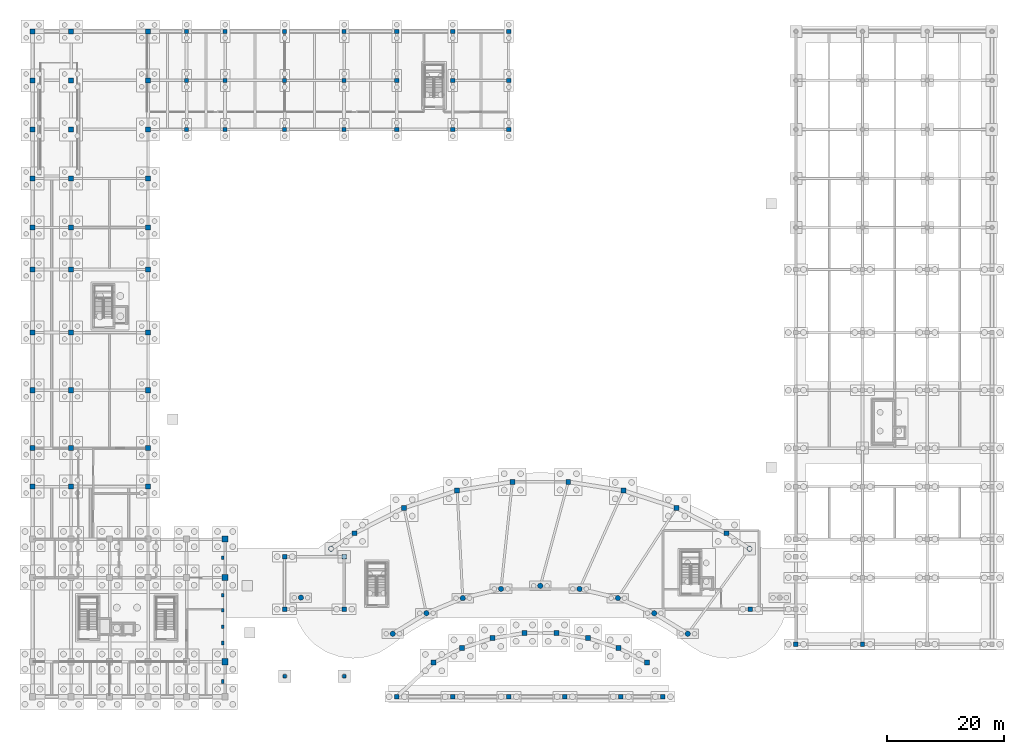
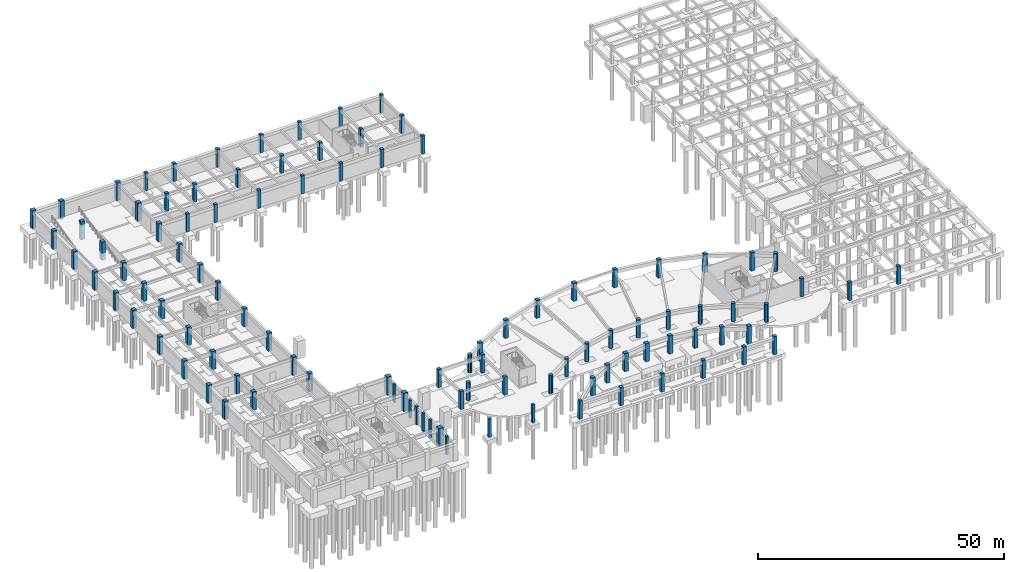
# One storey, part 8 of 28: 103 columns.
"""IFC4 building model written with IfcOpenShell, lengths in metres."""

from ifc_helpers import new_model, si_unit, direction, frame, origin, origin_2d, place, context, subcontext, project, spatial, rectangle, circle, extrude, material, material_profile, profile_set, type_object, element, save


model = new_model("IFC4")

# Units and contexts
model_context = context("Model", 3, precision=1e-05, world=origin(), true_north=direction((0.0, 1.0)))
body_context = subcontext(model_context, "Body", "Model", "MODEL_VIEW")
ifc_project = project(units=[si_unit("LENGTHUNIT", "METRE"), si_unit("AREAUNIT", "SQUARE_METRE"), si_unit("VOLUMEUNIT", "CUBIC_METRE"), si_unit("PLANEANGLEUNIT", "RADIAN"), si_unit("MASSUNIT", "GRAM", prefix="KILO")], contexts=[model_context])

# Site, building, storey
site_placement = place(None, origin())
site = spatial("IfcSite", under=ifc_project, at=site_placement, CompositionType="ELEMENT")
building_placement = place(site_placement, origin())
building = spatial("IfcBuilding", under=site, at=building_placement, Name="Miralva Faculty of Natural Sciences", CompositionType="ELEMENT")
storey_placement = place(building_placement, frame((0.0, 0.0, -4.5)))
storey = spatial("IfcBuildingStorey", under=building, at=storey_placement, Name="B1", CompositionType="ELEMENT", Elevation=-4.5)

# Columns
ifc_material_1 = material(Name="Concrete C50/60", Category="concrete")
ifc_material_profile_1 = material_profile(ifc_material_1, rectangle(XDim=1.050048828125, YDim=1.050048828125, at=origin_2d()), Name="RC 1050x1050")
ifc_profile_set_1 = profile_set([ifc_material_profile_1], Name="Concrete C50/60")
column_type_1 = type_object("IfcColumnType", Name="COL-C01", PredefinedType="COLUMN", material=ifc_profile_set_1)
for number, where, z_axis, x_axis, name in (
    (1, (36.0, 9.0, 0.0), (0.0, 0.0, 1.0), (1.0, 0.0, 0.0), "Column CS-V5-6B B1"),
    (2, (36.0, 23.39990234375, 0.0), (0.0, 0.0, 1.0), (1.0, 0.0, 0.0), "Column CS-V5-6C B1"),
    (3, (36.0, 30.0, 0.0), (0.0, 0.0, 1.0), (1.0, 0.0, 0.0), "Column CS-V5-6D B1"),
):
    element("IfcColumn", number, at=place(storey_placement, frame(where, z_axis=z_axis, x_axis=x_axis)), inside=storey, type_object=column_type_1, Name=name, PredefinedType="COLUMN", context=body_context, shape_type="SweptSolid", body=[
        extrude(rectangle(XDim=1.050048828125, YDim=1.050048828125, at=origin_2d()), origin(), (0.0, 0.0, 1.0), 4.5),
    ])
ifc_material_profile_2 = material_profile(ifc_material_1, rectangle(XDim=0.89990234375, YDim=0.89990234375, at=origin_2d()), Name="RC 900x900")
ifc_profile_set_2 = profile_set([ifc_material_profile_2], Name="Concrete C50/60")
column_type_2 = type_object("IfcColumnType", Name="COL-C03", PredefinedType="COLUMN", material=ifc_profile_set_2)
for number, where, z_axis, x_axis, name in (
    (4, (3.0, 39.0, 0.0), (0.0, 0.0, 1.0), (1.0, 0.0, 0.0), "Column CS-V4W-1E B1"),
    (5, (3.0, 45.60009765625, 0.0), (0.0, 0.0, 1.0), (1.0, 0.0, 0.0), "Column CS-V4W-1F B1"),
    (6, (3.0, 55.5, 0.0), (0.0, 0.0, 1.0), (1.0, 0.0, 0.0), "Column CS-V4W-1G B1"),
    (7, (3.0, 65.39990234375, 0.0), (0.0, 0.0, 1.0), (1.0, 0.0, 0.0), "Column CS-V4W-1H B1"),
    (8, (3.0, 76.199951171875, 0.0), (0.0, 0.0, 1.0), (1.0, 0.0, 0.0), "Column CS-V4W-1I B1"),
    (9, (3.0, 83.39990234375, 0.0), (0.0, 0.0, 1.0), (1.0, 0.0, 0.0), "Column CS-V4W-1J B1"),
    (10, (3.0, 91.800048828125, 0.0), (0.0, 0.0, 1.0), (1.0, 0.0, 0.0), "Column CS-V4W-1K B1"),
    (11, (3.0, 100.199951171875, 0.0), (0.0, 0.0, 1.0), (1.0, 0.0, 0.0), "Column CS-V4W-1L B1"),
    (12, (3.0, 108.60009765625, 0.0), (0.0, 0.0, 1.0), (1.0, 0.0, 0.0), "Column CS-V4W-1M B1"),
    (13, (3.0, 117.0, 0.0), (0.0, 0.0, 1.0), (1.0, 0.0, 0.0), "Column CS-V4W-1N B1"),
    (14, (9.60009765625, 39.0, 0.0), (0.0, 0.0, 1.0), (1.0, 0.0, 0.0), "Column CS-V4W-2E B1"),
    (15, (9.60009765625, 45.60009765625, 0.0), (0.0, 0.0, 1.0), (1.0, 0.0, 0.0), "Column CS-V4W-2F B1"),
    (16, (9.60009765625, 55.5, 0.0), (0.0, 0.0, 1.0), (1.0, 0.0, 0.0), "Column CS-V4W-2G B1"),
    (17, (9.60009765625, 65.39990234375, 0.0), (0.0, 0.0, 1.0), (1.0, 0.0, 0.0), "Column CS-V4W-2H B1"),
    (18, (9.60009765625, 76.199951171875, 0.0), (0.0, 0.0, 1.0), (1.0, 0.0, 0.0), "Column CS-V4W-2I B1"),
    (19, (9.60009765625, 83.39990234375, 0.0), (0.0, 0.0, 1.0), (1.0, 0.0, 0.0), "Column CS-V4W-2J B1"),
    (20, (9.60009765625, 91.800048828125, 0.0), (0.0, 0.0, 1.0), (1.0, 0.0, 0.0), "Column CS-V4W-2K B1"),
    (21, (9.60009765625, 100.199951171875, 0.0), (0.0, 0.0, 1.0), (1.0, 0.0, 0.0), "Column CS-V4W-2L B1"),
    (22, (9.60009765625, 108.60009765625, 0.0), (0.0, 0.0, 1.0), (1.0, 0.0, 0.0), "Column CS-V4W-2M B1"),
    (23, (9.60009765625, 117.0, 0.0), (0.0, 0.0, 1.0), (1.0, 0.0, 0.0), "Column CS-V4W-2N B1"),
    (24, (22.800048828125, 39.0, 0.0), (0.0, 0.0, 1.0), (1.0, 0.0, 0.0), "Column CS-V4W-4E B1"),
    (25, (22.800048828125, 45.60009765625, 0.0), (0.0, 0.0, 1.0), (1.0, 0.0, 0.0), "Column CS-V4W-4F B1"),
    (26, (22.800048828125, 55.5, 0.0), (0.0, 0.0, 1.0), (1.0, 0.0, 0.0), "Column CS-V4W-4G B1"),
    (27, (22.800048828125, 65.39990234375, 0.0), (0.0, 0.0, 1.0), (1.0, 0.0, 0.0), "Column CS-V4W-4H B1"),
    (28, (22.800048828125, 76.199951171875, 0.0), (0.0, 0.0, 1.0), (1.0, 0.0, 0.0), "Column CS-V4W-4I B1"),
    (29, (22.800048828125, 83.39990234375, 0.0), (0.0, 0.0, 1.0), (1.0, 0.0, 0.0), "Column CS-V4W-4J B1"),
    (30, (22.800048828125, 91.800048828125, 0.0), (0.0, 0.0, 1.0), (1.0, 0.0, 0.0), "Column CS-V4W-4K B1"),
    (31, (22.800048828125, 100.199951171875, 0.0), (0.0, 0.0, 1.0), (1.0, 0.0, 0.0), "Column CS-V4W-4L B1"),
    (32, (22.800048828125, 108.60009765625, 0.0), (0.0, 0.0, 1.0), (1.0, 0.0, 0.0), "Column CS-V4W-4M B1"),
    (33, (22.800048828125, 117.0, 0.0), (0.0, 0.0, 1.0), (1.0, 0.0, 0.0), "Column CS-V4W-4N B1"),
):
    element("IfcColumn", number, at=place(storey_placement, frame(where, z_axis=z_axis, x_axis=x_axis)), inside=storey, type_object=column_type_2, Name=name, PredefinedType="COLUMN", context=body_context, shape_type="SweptSolid", body=[
        extrude(rectangle(XDim=0.89990234375, YDim=0.89990234375, at=origin_2d()), origin(), (0.0, 0.0, 1.0), 4.5),
    ])
ifc_material_profile_3 = material_profile(ifc_material_1, rectangle(XDim=0.85009765625, YDim=0.85009765625, at=origin_2d()), Name="RC 850x850")
ifc_profile_set_3 = profile_set([ifc_material_profile_3], Name="Concrete C50/60")
column_type_3 = type_object("IfcColumnType", Name="COL-C04", PredefinedType="COLUMN", material=ifc_profile_set_3)
for number, where, z_axis, x_axis, name in (
    (34, (71.712646484375, 8.84228515625, 0.0), (0.0, 0.0, 1.0), (1.0, 0.0, 0.0), "Column CS-SH-IN01 B1"),
    (35, (58.127685546875, 31.010986328125, 0.0), (0.0, 0.0, 1.0), (1.0, 0.0, 0.0), "Column CS-SH-OUT01 B1"),
    (36, (76.606201171875, 11.335693359375, 0.0), (0.0, 0.0, 1.0), (1.0, 0.0, 0.0), "Column CS-SH-IN02 B1"),
    (37, (66.65625, 35.356689453125, 0.0), (0.0, 0.0, 1.0), (1.0, 0.0, 0.0), "Column CS-SH-OUT02 B1"),
    (38, (81.829345703125, 13.032958984375, 0.0), (0.0, 0.0, 1.0), (1.0, 0.0, 0.0), "Column CS-SH-IN03 B1"),
    (39, (75.759765625, 38.314697265625, 0.0), (0.0, 0.0, 1.0), (1.0, 0.0, 0.0), "Column CS-SH-OUT03 B1"),
    (40, (87.25390625, 13.89208984375, 0.0), (0.0, 0.0, 1.0), (1.0, 0.0, 0.0), "Column CS-SH-IN04 B1"),
    (41, (85.214111328125, 39.81201171875, 0.0), (0.0, 0.0, 1.0), (1.0, 0.0, 0.0), "Column CS-SH-OUT04 B1"),
    (42, (92.74609375, 13.89208984375, 0.0), (0.0, 0.0, 1.0), (1.0, 0.0, 0.0), "Column CS-SH-IN05 B1"),
    (43, (94.785888671875, 39.81201171875, 0.0), (0.0, 0.0, 1.0), (1.0, 0.0, 0.0), "Column CS-SH-OUT05 B1"),
    (44, (98.170654296875, 13.032958984375, 0.0), (0.0, 0.0, 1.0), (1.0, 0.0, 0.0), "Column CS-SH-IN06 B1"),
    (45, (104.240234375, 38.314697265625, 0.0), (0.0, 0.0, 1.0), (1.0, 0.0, 0.0), "Column CS-SH-OUT06 B1"),
    (46, (103.393798828125, 11.335693359375, 0.0), (0.0, 0.0, 1.0), (1.0, 0.0, 0.0), "Column CS-SH-IN07 B1"),
    (47, (113.34375, 35.356689453125, 0.0), (0.0, 0.0, 1.0), (1.0, 0.0, 0.0), "Column CS-SH-OUT07 B1"),
    (48, (108.287353515625, 8.84228515625, 0.0), (0.0, 0.0, 1.0), (1.0, 0.0, 0.0), "Column CS-SH-IN08 B1"),
    (49, (121.872314453125, 31.010986328125, 0.0), (0.0, 0.0, 1.0), (1.0, 0.0, 0.0), "Column CS-SH-OUT08 B1"),
):
    element("IfcColumn", number, at=place(storey_placement, frame(where, z_axis=z_axis, x_axis=x_axis)), inside=storey, type_object=column_type_3, Name=name, PredefinedType="COLUMN", context=body_context, shape_type="SweptSolid", body=[
        extrude(rectangle(XDim=0.85009765625, YDim=0.85009765625, at=origin_2d()), origin(), (0.0, 0.0, 1.0), 4.5),
    ])
ifc_material_2 = material(Name="Concrete C40/50", Category="concrete")
ifc_material_profile_4 = material_profile(ifc_material_2, rectangle(XDim=0.75, YDim=0.75, at=origin_2d()), Name="RC 750x750")
ifc_profile_set_4 = profile_set([ifc_material_profile_4], Name="Concrete C40/50")
column_type_4 = type_object("IfcColumnType", Name="COL-C06", PredefinedType="COLUMN", material=ifc_profile_set_4)
for number, where, z_axis, x_axis, name in (
    (50, (133.800048828125, 12.0, 0.0), (0.0, 0.0, 1.0), (1.0, 0.0, 0.0), "Column CS-V2C-16B12 B1"),
    (51, (145.199951171875, 12.0, 0.0), (0.0, 0.0, 1.0), (1.0, 0.0, 0.0), "Column CS-V2C-17B12 B1"),
    (52, (65.39990234375, 3.0, 0.0), (0.0, 0.0, 1.0), (1.0, 0.0, 0.0), "Column CS-V1-S9 B1"),
    (53, (75.0, 3.0, 0.0), (0.0, 0.0, 1.0), (1.0, 0.0, 0.0), "Column CS-V1-S10 B1"),
    (54, (84.60009765625, 3.0, 0.0), (0.0, 0.0, 1.0), (1.0, 0.0, 0.0), "Column CS-V1-S11 B1"),
    (55, (94.199951171875, 3.0, 0.0), (0.0, 0.0, 1.0), (1.0, 0.0, 0.0), "Column CS-V1-S12 B1"),
    (56, (103.800048828125, 3.0, 0.0), (0.0, 0.0, 1.0), (1.0, 0.0, 0.0), "Column CS-V1-S13 B1"),
    (57, (111.0, 3.0, 0.0), (0.0, 0.0, 1.0), (1.0, 0.0, 0.0), "Column CS-V1-S14 B1"),
    (58, (46.199951171875, 18.0, 0.0), (0.0, 0.0, 1.0), (1.0, 0.0, 0.0), "Column CS-LNK-WL1S B1"),
    (59, (46.199951171875, 27.0, 0.0), (0.0, 0.0, 1.0), (1.0, 0.0, 0.0), "Column CS-LNK-WL1N B1"),
    (60, (56.39990234375, 18.0, 0.0), (0.0, 0.0, 1.0), (1.0, 0.0, 0.0), "Column CS-LNK-WL2S B1"),
    (61, (56.39990234375, 27.0, 0.0), (0.0, 0.0, 1.0), (1.0, 0.0, 0.0), "Column CS-LNK-WL2N B1"),
    (62, (126.0, 18.0, 0.0), (0.0, 0.0, 1.0), (1.0, 0.0, 0.0), "Column CS-LNK-EL1S B1"),
):
    element("IfcColumn", number, at=place(storey_placement, frame(where, z_axis=z_axis, x_axis=x_axis)), inside=storey, type_object=column_type_4, Name=name, PredefinedType="COLUMN", context=body_context, shape_type="SweptSolid", body=[
        extrude(rectangle(XDim=0.75, YDim=0.75, at=origin_2d()), origin(), (0.0, 0.0, 1.0), 4.5),
    ])
ifc_material_profile_5 = material_profile(ifc_material_2, rectangle(XDim=0.699951171875, YDim=0.699951171875, at=origin_2d()), Name="RC 700x700")
ifc_profile_set_5 = profile_set([ifc_material_profile_5], Name="Concrete C40/50")
column_type_5 = type_object("IfcColumnType", Name="COL-C07", PredefinedType="COLUMN", material=ifc_profile_set_5)
for number, where, z_axis, x_axis, name in (
    (63, (29.39990234375, 100.199951171875, 0.0), (0.0, 0.0, 1.0), (1.0, 0.0, 0.0), "Column CS-V4N-5L B1"),
    (64, (29.39990234375, 108.60009765625, 0.0), (0.0, 0.0, 1.0), (1.0, 0.0, 0.0), "Column CS-V4N-5M B1"),
    (65, (29.39990234375, 117.0, 0.0), (0.0, 0.0, 1.0), (1.0, 0.0, 0.0), "Column CS-V4N-5N B1"),
    (66, (36.0, 100.199951171875, 0.0), (0.0, 0.0, 1.0), (1.0, 0.0, 0.0), "Column CS-V4N-6L B1"),
    (67, (36.0, 108.60009765625, 0.0), (0.0, 0.0, 1.0), (1.0, 0.0, 0.0), "Column CS-V4N-6M B1"),
    (68, (36.0, 117.0, 0.0), (0.0, 0.0, 1.0), (1.0, 0.0, 0.0), "Column CS-V4N-6N B1"),
    (69, (46.199951171875, 100.199951171875, 0.0), (0.0, 0.0, 1.0), (1.0, 0.0, 0.0), "Column CS-V4N-7L B1"),
    (70, (46.199951171875, 108.60009765625, 0.0), (0.0, 0.0, 1.0), (1.0, 0.0, 0.0), "Column CS-V4N-7M B1"),
    (71, (46.199951171875, 117.0, 0.0), (0.0, 0.0, 1.0), (1.0, 0.0, 0.0), "Column CS-V4N-7N B1"),
    (72, (56.39990234375, 100.199951171875, 0.0), (0.0, 0.0, 1.0), (1.0, 0.0, 0.0), "Column CS-V4N-8L B1"),
    (73, (56.39990234375, 108.60009765625, 0.0), (0.0, 0.0, 1.0), (1.0, 0.0, 0.0), "Column CS-V4N-8M B1"),
    (74, (56.39990234375, 117.0, 0.0), (0.0, 0.0, 1.0), (1.0, 0.0, 0.0), "Column CS-V4N-8N B1"),
    (75, (65.39990234375, 100.199951171875, 0.0), (0.0, 0.0, 1.0), (1.0, 0.0, 0.0), "Column CS-V4N-9L B1"),
    (76, (65.39990234375, 108.60009765625, 0.0), (0.0, 0.0, 1.0), (1.0, 0.0, 0.0), "Column CS-V4N-9M B1"),
    (77, (65.39990234375, 117.0, 0.0), (0.0, 0.0, 1.0), (1.0, 0.0, 0.0), "Column CS-V4N-9N B1"),
    (78, (75.0, 100.199951171875, 0.0), (0.0, 0.0, 1.0), (1.0, 0.0, 0.0), "Column CS-V4N-10L B1"),
    (79, (75.0, 108.60009765625, 0.0), (0.0, 0.0, 1.0), (1.0, 0.0, 0.0), "Column CS-V4N-10M B1"),
    (80, (75.0, 117.0, 0.0), (0.0, 0.0, 1.0), (1.0, 0.0, 0.0), "Column CS-V4N-10N B1"),
    (81, (84.60009765625, 100.199951171875, 0.0), (0.0, 0.0, 1.0), (1.0, 0.0, 0.0), "Column CS-V4N-11L B1"),
    (82, (84.60009765625, 108.60009765625, 0.0), (0.0, 0.0, 1.0), (1.0, 0.0, 0.0), "Column CS-V4N-11M B1"),
    (83, (84.60009765625, 117.0, 0.0), (0.0, 0.0, 1.0), (1.0, 0.0, 0.0), "Column CS-V4N-11N B1"),
):
    element("IfcColumn", number, at=place(storey_placement, frame(where, z_axis=z_axis, x_axis=x_axis)), inside=storey, type_object=column_type_5, Name=name, PredefinedType="COLUMN", context=body_context, shape_type="SweptSolid", body=[
        extrude(rectangle(XDim=0.699951171875, YDim=0.699951171875, at=origin_2d()), origin(), (0.0, 0.0, 1.0), 4.5),
    ])
ifc_material_profile_6 = material_profile(ifc_material_2, rectangle(XDim=0.550048828125, YDim=0.550048828125, at=origin_2d()), Name="RC 550x550")
ifc_profile_set_6 = profile_set([ifc_material_profile_6], Name="Concrete C40/50")
column_type_6 = type_object("IfcColumnType", Name="COL-C10", PredefinedType="COLUMN", material=ifc_profile_set_6)
for number, where, z_axis, x_axis, name in (
    (84, (46.199951171875, 6.5, 0.0), (0.0, 0.0, 1.0), (1.0, 0.0, 0.0), "Canopy substructure pier 1"),
    (85, (56.39990234375, 6.5, 0.0), (0.0, 0.0, 1.0), (1.0, 0.0, 0.0), "Canopy substructure pier 2"),
):
    element("IfcColumn", number, at=place(storey_placement, frame(where, z_axis=z_axis, x_axis=x_axis)), inside=storey, type_object=column_type_6, Name=name, PredefinedType="COLUMN", context=body_context, shape_type="SweptSolid", body=[
        extrude(rectangle(XDim=0.550048828125, YDim=0.550048828125, at=origin_2d()), origin(), (0.0, 0.0, 1.0), 4.5),
    ])
ifc_material_profile_7 = material_profile(ifc_material_2, rectangle(XDim=0.449951171875, YDim=0.64990234375, at=origin_2d()), Name="RC 450x650")
ifc_profile_set_7 = profile_set([ifc_material_profile_7], Name="Concrete C40/50")
column_type_7 = type_object("IfcColumnType", Name="COL-C12", PredefinedType="PILASTER", material=ifc_profile_set_7)
for number, where, z_axis, x_axis, name in (
    (86, (35.60009765625, 5.60009765625, 0.0), (0.0, 0.0, 1.0), (1.0, 0.0, 0.0), "Colonnade pilaster 1 B1"),
    (87, (35.60009765625, 12.199951171875, 0.0), (0.0, 0.0, 1.0), (1.0, 0.0, 0.0), "Colonnade pilaster 2 B1"),
    (88, (35.60009765625, 15.0, 0.0), (0.0, 0.0, 1.0), (1.0, 0.0, 0.0), "Colonnade pilaster 3 B1"),
    (89, (35.60009765625, 17.800048828125, 0.0), (0.0, 0.0, 1.0), (1.0, 0.0, 0.0), "Colonnade pilaster 4 B1"),
    (90, (35.60009765625, 20.39990234375, 0.0), (0.0, 0.0, 1.0), (1.0, 0.0, 0.0), "Colonnade pilaster 5 B1"),
    (91, (35.60009765625, 26.800048828125, 0.0), (0.0, 0.0, 1.0), (1.0, 0.0, 0.0), "Colonnade pilaster 6 B1"),
):
    element("IfcColumn", number, at=place(storey_placement, frame(where, z_axis=z_axis, x_axis=x_axis)), inside=storey, type_object=column_type_7, Name=name, PredefinedType="PILASTER", context=body_context, shape_type="SweptSolid", body=[
        extrude(rectangle(XDim=0.449951171875, YDim=0.64990234375, at=origin_2d()), origin(), (0.0, 0.0, 1.0), 4.5),
    ])
ifc_material_profile_8 = material_profile(ifc_material_1, circle(Radius=0.449951171875, at=origin_2d()), Name="RC DIA 900")
ifc_profile_set_8 = profile_set([ifc_material_profile_8], Name="Concrete C50/60")
column_type_8 = type_object("IfcColumnType", Name="COL-C13", PredefinedType="COLUMN", material=ifc_profile_set_8)
for number, where, z_axis, x_axis, name in (
    (92, (64.72509765625, 13.78759765625, 0.0), (0.0, 0.0, 1.0), (1.0, 0.0, 0.0), "Column CS-ARC-IN01 B1"),
    (93, (54.14501953125, 28.35009765625, 0.0), (0.0, 0.0, 1.0), (1.0, 0.0, 0.0), "Column CS-ARC-OUT01 B1"),
    (94, (70.478515625, 17.313232421875, 0.0), (0.0, 0.0, 1.0), (1.0, 0.0, 0.0), "Column CS-ARC-IN02 B1"),
    (95, (76.71240234375, 19.8955078125, 0.0), (0.0, 0.0, 1.0), (1.0, 0.0, 0.0), "Column CS-ARC-IN03 B1"),
    (96, (83.273193359375, 21.470703125, 0.0), (0.0, 0.0, 1.0), (1.0, 0.0, 0.0), "Column CS-ARC-IN04 B1"),
    (97, (90.0, 22.0, 0.0), (0.0, 0.0, 1.0), (1.0, 0.0, 0.0), "Column CS-ARC-IN05 B1"),
    (98, (96.726806640625, 21.470703125, 0.0), (0.0, 0.0, 1.0), (1.0, 0.0, 0.0), "Column CS-ARC-IN06 B1"),
    (99, (103.28759765625, 19.8955078125, 0.0), (0.0, 0.0, 1.0), (1.0, 0.0, 0.0), "Column CS-ARC-IN07 B1"),
    (100, (109.521484375, 17.313232421875, 0.0), (0.0, 0.0, 1.0), (1.0, 0.0, 0.0), "Column CS-ARC-IN08 B1"),
    (101, (115.27490234375, 13.78759765625, 0.0), (0.0, 0.0, 1.0), (1.0, 0.0, 0.0), "Column CS-ARC-IN09 B1"),
    (102, (125.85498046875, 28.35009765625, 0.0), (0.0, 0.0, 1.0), (1.0, 0.0, 0.0), "Column CS-ARC-OUT09 B1"),
    (103, (48.985595703125, 19.9765625, 0.0), (0.0, 0.0, 1.0), (1.0, 0.0, 0.0), "Column CS-RND-W01 B1"),
):
    element("IfcColumn", number, at=place(storey_placement, frame(where, z_axis=z_axis, x_axis=x_axis)), inside=storey, type_object=column_type_8, Name=name, PredefinedType="COLUMN", context=body_context, shape_type="SweptSolid", body=[
        extrude(circle(Radius=0.449951171875, at=origin_2d()), origin(), (0.0, 0.0, 1.0), 4.5),
    ])

save(model, "model.ifc")
